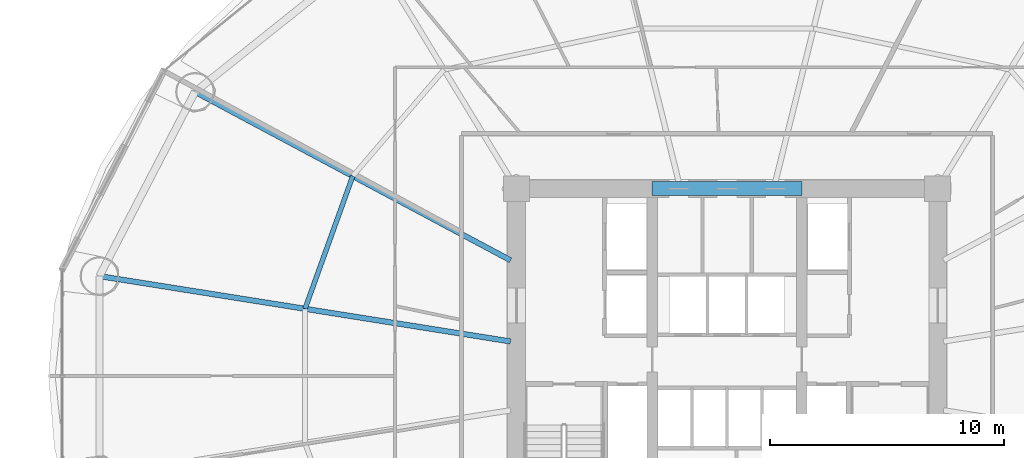
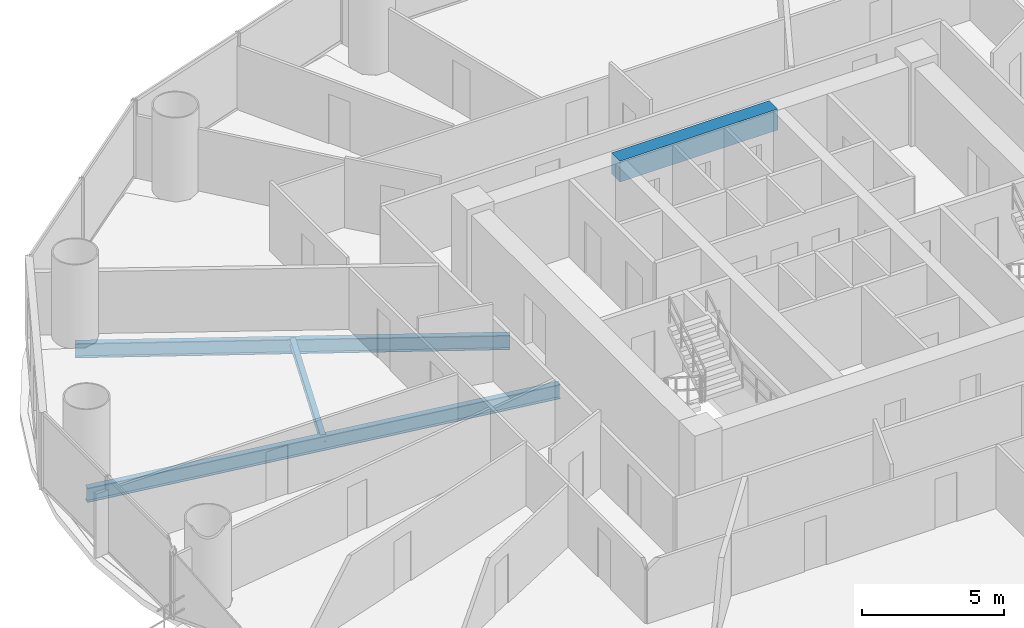
# One storey, part 9 of 29: 4 beams.
"""IFC4 building model written with IfcOpenShell, lengths in metres."""

from ifc_helpers import new_model, si_unit, direction, frame, origin, origin_2d, place, context, subcontext, project, spatial, rectangle, i_section, extrude, material, material_profile, profile_set, type_object, element, save


model = new_model("IFC4")

# Units and contexts
model_context = context("Model", 3, precision=1e-05, world=origin(), true_north=direction((-0.2419218956, 0.970295726276)))
body_context = subcontext(model_context, "Body", "Model", "MODEL_VIEW")
ifc_project = project(units=[si_unit("LENGTHUNIT", "METRE"), si_unit("AREAUNIT", "SQUARE_METRE"), si_unit("VOLUMEUNIT", "CUBIC_METRE"), si_unit("PLANEANGLEUNIT", "RADIAN"), si_unit("MASSUNIT", "GRAM", prefix="KILO")], contexts=[model_context])

# Site, building, storey
site_placement = place(None, origin())
site = spatial("IfcSite", under=ifc_project, at=site_placement, CompositionType="ELEMENT")
building_placement = place(site_placement, origin())
building = spatial("IfcBuilding", under=site, at=building_placement, Name="Cobrevalo Terracotta Tower", CompositionType="ELEMENT")
storey_placement = place(building_placement, frame((0.0, 0.0, 52.800048828125)))
storey = spatial("IfcBuildingStorey", under=building, at=storey_placement, Name="L13", CompositionType="ELEMENT", Elevation=52.800048828125)

# Beams
ifc_material_1 = material(Name="Concrete C60", Category="concrete")
ifc_material_profile_1 = material_profile(ifc_material_1, rectangle(XDim=0.60009765625, YDim=0.89990234375, at=origin_2d()), Name="RC CB 600x900")
ifc_profile_set_1 = profile_set([ifc_material_profile_1], Name="Concrete C60")
beam_type_1 = type_object("IfcBeamType", Name="Structural Beam RC CB 600x900 (Concrete C60)", PredefinedType="BEAM", material=ifc_profile_set_1)
beam_1_placement = place(storey_placement, frame((34.800048828125, 34.800048828125, 2.869873046875), z_axis=(1.0, 0.0, 0.0), x_axis=(0.0, 1.0, 0.0)))
element("IfcBeam", 1, at=beam_1_placement, inside=storey, type_object=beam_type_1, Name="L13 core coupling beam 2", PredefinedType="BEAM", context=body_context, shape_type="SweptSolid", body=[
    extrude(rectangle(XDim=0.60009765625, YDim=0.89990234375, at=origin_2d()), origin(), (0.0, 0.0, 1.0), 6.39990234375),
])
ifc_material_2 = material(Name="Steel S355", Category="steel")
ifc_material_profile_2 = material_profile(ifc_material_2, i_section(OverallWidth=0.22998046875, OverallDepth=0.616943359375, WebThickness=0.01318359375, FlangeThickness=0.022216796875, at=origin_2d()), Name="W 610x140")
ifc_profile_set_2 = profile_set([ifc_material_profile_2], Name="Steel S355")
beam_type_2 = type_object("IfcBeamType", Name="Structural Beam W 610x140 (Steel S355)", PredefinedType="BEAM", material=ifc_profile_set_2)
beam_2_placement = place(storey_placement, frame((15.25927734375, 38.939208984375, -0.588623046875), z_axis=(0.88218223571, -0.470908168329, 0.0), x_axis=(0.470908168329, 0.88218223571, 0.0)))
element("IfcBeam", 2, at=beam_2_placement, inside=storey, type_object=beam_type_2, Name="L13 radial floor girder 07", PredefinedType="BEAM", context=body_context, shape_type="SweptSolid", body=[
    extrude(i_section(OverallWidth=0.22998046875, OverallDepth=0.616943359375, WebThickness=0.01318359375, FlangeThickness=0.022216796875, at=origin_2d()), origin(), (0.0, 0.0, 1.0), 15.286865234375),
])
beam_3_placement = place(storey_placement, frame((11.175537109375, 31.062744140625, -0.588623046875), z_axis=(0.987607924622, -0.156941349628, 0.0), x_axis=(0.156941349628, 0.987607924622, 0.0)))
element("IfcBeam", 3, at=beam_3_placement, inside=storey, type_object=beam_type_2, Name="L13 radial floor girder 08", PredefinedType="BEAM", context=body_context, shape_type="SweptSolid", body=[
    extrude(i_section(OverallWidth=0.22998046875, OverallDepth=0.616943359375, WebThickness=0.01318359375, FlangeThickness=0.022216796875, at=origin_2d()), origin(), (0.0, 0.0, 1.0), 17.7900390625),
])
ifc_material_profile_3 = material_profile(ifc_material_2, i_section(OverallWidth=0.2041015625, OverallDepth=0.305908203125, WebThickness=0.008544921875, FlangeThickness=0.0146484375, at=origin_2d()), Name="W 310x67")
ifc_profile_set_3 = profile_set([ifc_material_profile_3], Name="Steel S355")
beam_type_3 = type_object("IfcBeamType", Name="Structural Joist W 310x67 (Steel S355)", PredefinedType="JOIST", material=ifc_profile_set_3)
beam_4_placement = place(storey_placement, frame((22.002197265625, 35.33984375, -0.43310546875), z_axis=(-0.338672151116, -0.940904444701, 0.0), x_axis=(0.940904444701, -0.338672151116, 0.0)))
element("IfcBeam", 4, at=beam_4_placement, inside=storey, type_object=beam_type_3, Name="L13 circumferential secondary floor joist 07", PredefinedType="JOIST", context=body_context, shape_type="SweptSolid", body=[
    extrude(i_section(OverallWidth=0.2041015625, OverallDepth=0.305908203125, WebThickness=0.008544921875, FlangeThickness=0.0146484375, at=origin_2d()), origin(), (0.0, 0.0, 1.0), 6.029296875),
])

save(model, "model.ifc")
